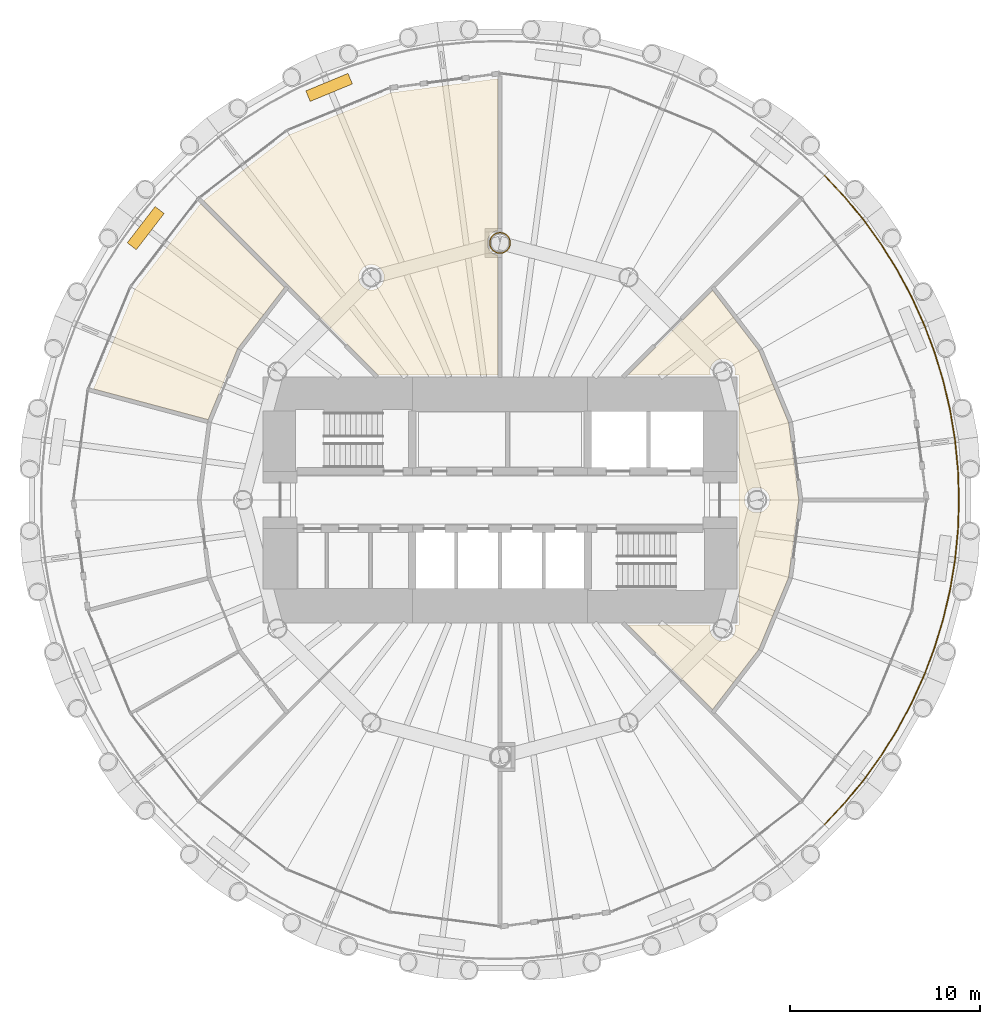
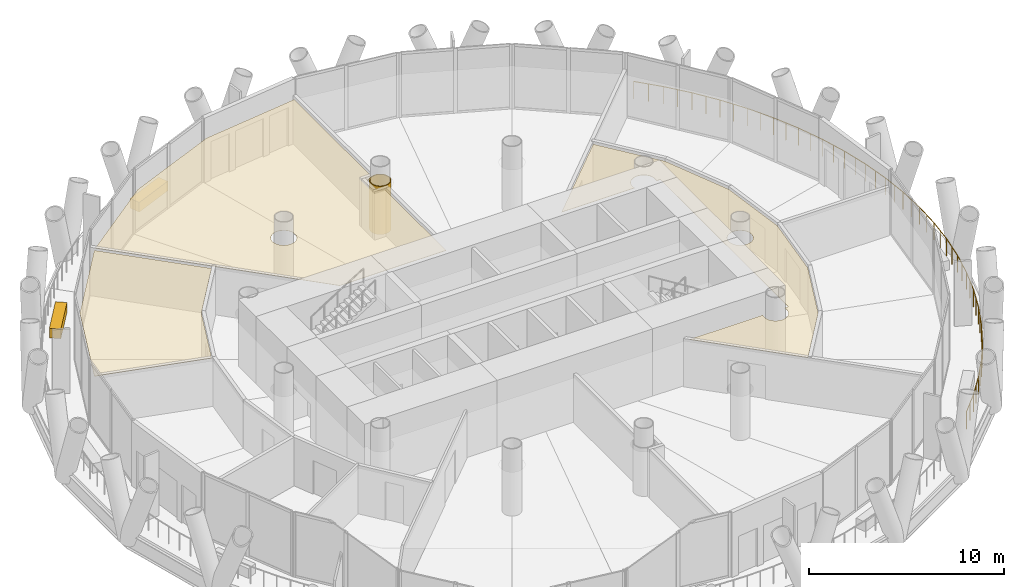
# One storey, part 13 of 14: 6 coverings, 1 railing.
"""IFC4 building model written with IfcOpenShell, lengths in metres."""

from ifc_helpers import new_model, si_unit, direction, frame, origin, origin_2d, place, context, subcontext, project, spatial, polyline, rectangle, circle, outline, extrude, material, layer, layer_set, type_object, element, save


model = new_model("IFC4")

# Units and contexts
model_context = context("Model", 3, precision=1e-05, world=origin(), true_north=direction((0.0, 1.0)))
body_context = subcontext(model_context, "Body", "Model", "MODEL_VIEW")
ifc_project = project(units=[si_unit("LENGTHUNIT", "METRE"), si_unit("AREAUNIT", "SQUARE_METRE"), si_unit("VOLUMEUNIT", "CUBIC_METRE"), si_unit("PLANEANGLEUNIT", "RADIAN"), si_unit("MASSUNIT", "GRAM", prefix="KILO")], contexts=[model_context])

# Site, building, storey
site_placement = place(None, origin())
site = spatial("IfcSite", under=ifc_project, at=site_placement, CompositionType="ELEMENT")
building_placement = place(site_placement, origin())
building = spatial("IfcBuilding", under=site, at=building_placement, Name="Qaws Media Tower", CompositionType="ELEMENT")
storey_placement = place(building_placement, frame((0.0, 0.0, 152.0)))
storey = spatial("IfcBuildingStorey", under=building, at=storey_placement, Name="L34", CompositionType="ELEMENT", Elevation=152.0)

# Railing
ifc_material_1 = material(Name="Stainless steel and glass guard", Category="steel")
railing_type = type_object("IfcRailingType", Name="Balcony guard 1100", PredefinedType="GUARDRAIL", material=ifc_material_1)
railing_placement = place(storey_placement, frame((77.041259765625, 32.958740234375, 0.0)))
element("IfcRailing", 1, at=railing_placement, inside=storey, type_object=railing_type, Name="GR1 balcony guard L34-4", PredefinedType="GUARDRAIL", context=body_context, shape_type="SweptSolid", body=[
    extrude(circle(Radius=0.02392578125, at=origin_2d()), frame((0.0, 0.0, 1.076171875), z_axis=(0.683585753721, 0.729870205796, 0.0), x_axis=(-0.729870205796, 0.683585753721, 0.0)), (0.0, 0.0, 1.0), 1.5771484375),
    extrude(circle(Radius=0.02392578125, at=origin_2d()), frame((1.078125, 1.151123046875, 1.076171875), z_axis=(0.634425735191, 0.772983820353, 0.0), x_axis=(-0.772983820353, 0.634425735191, 0.0)), (0.0, 0.0, 1.0), 1.576904296875),
    extrude(circle(Radius=0.02392578125, at=origin_2d()), frame((2.07861328125, 2.3701171875, 1.076171875), z_axis=(0.582394495813, 0.81290629918, 0.0), x_axis=(-0.81290629918, 0.582394495813, 0.0)), (0.0, 0.0, 1.0), 1.5771484375),
    extrude(circle(Radius=0.02392578125, at=origin_2d()), frame((2.9970703125, 3.652099609375, 1.076171875), z_axis=(0.528091052943, 0.849187752974, 0.0), x_axis=(-0.849187752974, 0.528091052943, 0.0)), (0.0, 0.0, 1.0), 1.576904296875),
    extrude(circle(Radius=0.02392578125, at=origin_2d()), frame((3.829833984375, 4.9912109375, 1.076171875), z_axis=(0.471503893557, 0.881863979512, 0.0), x_axis=(-0.881863979512, 0.471503893557, 0.0)), (0.0, 0.0, 1.0), 1.5771484375),
    extrude(circle(Radius=0.02392578125, at=origin_2d()), frame((4.573486328125, 6.382080078125, 1.076171875), z_axis=(0.412577846991, 0.910922345852, 0.0), x_axis=(-0.910922345852, 0.412577846991, 0.0)), (0.0, 0.0, 1.0), 1.576904296875),
    extrude(circle(Radius=0.02392578125, at=origin_2d()), frame((5.22412109375, 7.818603515625, 1.076171875), z_axis=(0.352310618274, 0.935883127453, 0.0), x_axis=(-0.935883127453, 0.352310618274, 0.0)), (0.0, 0.0, 1.0), 1.5771484375),
    extrude(circle(Radius=0.02392578125, at=origin_2d()), frame((5.77978515625, 9.294677734375, 1.076171875), z_axis=(0.290286683156, 0.956939727246, 0.0), x_axis=(-0.956939727246, 0.290286683156, 0.0)), (0.0, 0.0, 1.0), 1.576904296875),
    extrude(circle(Radius=0.02392578125, at=origin_2d()), frame((6.237548828125, 10.8037109375, 1.076171875), z_axis=(0.227097483643, 0.973872031082, 0.0), x_axis=(-0.973872031082, 0.227097483643, 0.0)), (0.0, 0.0, 1.0), 1.5771484375),
    extrude(circle(Radius=0.02392578125, at=origin_2d()), frame((6.595703125, 12.339599609375, 1.076171875), z_axis=(0.162867357333, 0.986647973654, 0.0), x_axis=(-0.986647973654, 0.162867357333, 0.0)), (0.0, 0.0, 1.0), 1.576904296875),
    extrude(circle(Radius=0.02392578125, at=origin_2d()), frame((6.8525390625, 13.8955078125, 1.076171875), z_axis=(0.097986289481, 0.995187764733, 0.0), x_axis=(-0.995187764733, 0.097986289481, 0.0)), (0.0, 0.0, 1.0), 1.5771484375),
    extrude(circle(Radius=0.02392578125, at=origin_2d()), frame((7.007080078125, 15.465087890625, 1.076171875), z_axis=(0.032819980053, 0.999461279345, 0.0), x_axis=(-0.999461279345, 0.032819980053, 0.0)), (0.0, 0.0, 1.0), 1.576904296875),
    extrude(circle(Radius=0.02392578125, at=origin_2d()), frame((7.058837890625, 17.041259765625, 1.076171875), z_axis=(-0.032819980053, 0.999461279345, 0.0), x_axis=(-0.999461279345, -0.032819980053, 0.0)), (0.0, 0.0, 1.0), 1.576904296875),
    extrude(circle(Radius=0.02392578125, at=origin_2d()), frame((7.007080078125, 18.617431640625, 1.076171875), z_axis=(-0.097986289481, 0.995187764733, 0.0), x_axis=(-0.995187764733, -0.097986289481, 0.0)), (0.0, 0.0, 1.0), 1.5771484375),
    extrude(circle(Radius=0.02392578125, at=origin_2d()), frame((6.8525390625, 20.18701171875, 1.076171875), z_axis=(-0.162867357333, 0.986647973654, 0.0), x_axis=(-0.986647973654, -0.162867357333, 0.0)), (0.0, 0.0, 1.0), 1.576904296875),
    extrude(circle(Radius=0.02392578125, at=origin_2d()), frame((6.595703125, 21.742919921875, 1.076171875), z_axis=(-0.227097483643, 0.973872031082, 0.0), x_axis=(-0.973872031082, -0.227097483643, 0.0)), (0.0, 0.0, 1.0), 1.5771484375),
    extrude(circle(Radius=0.02392578125, at=origin_2d()), frame((6.237548828125, 23.27880859375, 1.076171875), z_axis=(-0.290286683156, 0.956939727246, 0.0), x_axis=(-0.956939727246, -0.290286683156, 0.0)), (0.0, 0.0, 1.0), 1.576904296875),
    extrude(circle(Radius=0.02392578125, at=origin_2d()), frame((5.77978515625, 24.787841796875, 1.076171875), z_axis=(-0.352310618274, 0.935883127453, 0.0), x_axis=(-0.935883127453, -0.352310618274, 0.0)), (0.0, 0.0, 1.0), 1.5771484375),
    extrude(circle(Radius=0.02392578125, at=origin_2d()), frame((5.22412109375, 26.263916015625, 1.076171875), z_axis=(-0.412577846991, 0.910922345852, 0.0), x_axis=(-0.910922345852, -0.412577846991, 0.0)), (0.0, 0.0, 1.0), 1.576904296875),
    extrude(circle(Radius=0.02392578125, at=origin_2d()), frame((4.573486328125, 27.700439453125, 1.076171875), z_axis=(-0.471503893557, 0.881863979512, 0.0), x_axis=(-0.881863979512, -0.471503893557, 0.0)), (0.0, 0.0, 1.0), 1.5771484375),
    extrude(circle(Radius=0.02392578125, at=origin_2d()), frame((3.829833984375, 29.09130859375, 1.076171875), z_axis=(-0.528091052943, 0.849187752974, 0.0), x_axis=(-0.849187752974, -0.528091052943, 0.0)), (0.0, 0.0, 1.0), 1.576904296875),
    extrude(circle(Radius=0.02392578125, at=origin_2d()), frame((2.9970703125, 30.430419921875, 1.076171875), z_axis=(-0.582394495813, 0.81290629918, 0.0), x_axis=(-0.81290629918, -0.582394495813, 0.0)), (0.0, 0.0, 1.0), 1.5771484375),
    extrude(circle(Radius=0.02392578125, at=origin_2d()), frame((2.07861328125, 31.71240234375, 1.076171875), z_axis=(-0.634425735191, 0.772983820353, 0.0), x_axis=(-0.772983820353, -0.634425735191, 0.0)), (0.0, 0.0, 1.0), 1.576904296875),
    extrude(circle(Radius=0.02392578125, at=origin_2d()), frame((1.078125, 32.931396484375, 1.076171875), z_axis=(-0.683585753721, 0.729870205796, 0.0), x_axis=(-0.729870205796, -0.683585753721, 0.0)), (0.0, 0.0, 1.0), 1.5771484375),
    extrude(circle(Radius=0.02099609375, at=origin_2d()), origin(), (0.0, 0.0, 1.0), 1.052001953125),
    extrude(circle(Radius=0.02099609375, at=origin_2d()), frame((0.5390625, 0.57568359375, 0.0)), (0.0, 0.0, 1.0), 1.052001953125),
    extrude(circle(Radius=0.02099609375, at=origin_2d()), frame((1.078125, 1.151123046875, 0.0)), (0.0, 0.0, 1.0), 1.052001953125),
    extrude(circle(Radius=0.02099609375, at=origin_2d()), frame((1.578369140625, 1.7607421875, 0.0)), (0.0, 0.0, 1.0), 1.052001953125),
    extrude(circle(Radius=0.02099609375, at=origin_2d()), frame((2.07861328125, 2.3701171875, 0.0)), (0.0, 0.0, 1.0), 1.052001953125),
    extrude(circle(Radius=0.02099609375, at=origin_2d()), frame((2.537841796875, 3.01123046875, 0.0)), (0.0, 0.0, 1.0), 1.052001953125),
    extrude(circle(Radius=0.02099609375, at=origin_2d()), frame((2.9970703125, 3.652099609375, 0.0)), (0.0, 0.0, 1.0), 1.052001953125),
    extrude(circle(Radius=0.02099609375, at=origin_2d()), frame((3.41357421875, 4.32177734375, 0.0)), (0.0, 0.0, 1.0), 1.052001953125),
    extrude(circle(Radius=0.02099609375, at=origin_2d()), frame((3.829833984375, 4.9912109375, 0.0)), (0.0, 0.0, 1.0), 1.052001953125),
    extrude(circle(Radius=0.02099609375, at=origin_2d()), frame((4.20166015625, 5.6865234375, 0.0)), (0.0, 0.0, 1.0), 1.052001953125),
    extrude(circle(Radius=0.02099609375, at=origin_2d()), frame((4.573486328125, 6.382080078125, 0.0)), (0.0, 0.0, 1.0), 1.052001953125),
    extrude(circle(Radius=0.02099609375, at=origin_2d()), frame((4.89892578125, 7.100341796875, 0.0)), (0.0, 0.0, 1.0), 1.052001953125),
    extrude(circle(Radius=0.02099609375, at=origin_2d()), frame((5.22412109375, 7.818603515625, 0.0)), (0.0, 0.0, 1.0), 1.052001953125),
    extrude(circle(Radius=0.02099609375, at=origin_2d()), frame((5.501953125, 8.556640625, 0.0)), (0.0, 0.0, 1.0), 1.052001953125),
    extrude(circle(Radius=0.02099609375, at=origin_2d()), frame((5.77978515625, 9.294677734375, 0.0)), (0.0, 0.0, 1.0), 1.052001953125),
    extrude(circle(Radius=0.02099609375, at=origin_2d()), frame((6.0087890625, 10.04931640625, 0.0)), (0.0, 0.0, 1.0), 1.052001953125),
    extrude(circle(Radius=0.02099609375, at=origin_2d()), frame((6.237548828125, 10.8037109375, 0.0)), (0.0, 0.0, 1.0), 1.052001953125),
    extrude(circle(Radius=0.02099609375, at=origin_2d()), frame((6.41650390625, 11.57177734375, 0.0)), (0.0, 0.0, 1.0), 1.052001953125),
    extrude(circle(Radius=0.02099609375, at=origin_2d()), frame((6.595703125, 12.339599609375, 0.0)), (0.0, 0.0, 1.0), 1.052001953125),
    extrude(circle(Radius=0.02099609375, at=origin_2d()), frame((6.72412109375, 13.11767578125, 0.0)), (0.0, 0.0, 1.0), 1.052001953125),
    extrude(circle(Radius=0.02099609375, at=origin_2d()), frame((6.8525390625, 13.8955078125, 0.0)), (0.0, 0.0, 1.0), 1.052001953125),
    extrude(circle(Radius=0.02099609375, at=origin_2d()), frame((6.9296875, 14.68017578125, 0.0)), (0.0, 0.0, 1.0), 1.052001953125),
    extrude(circle(Radius=0.02099609375, at=origin_2d()), frame((7.007080078125, 15.465087890625, 0.0)), (0.0, 0.0, 1.0), 1.052001953125),
    extrude(circle(Radius=0.02099609375, at=origin_2d()), frame((7.032958984375, 16.253173828125, 0.0)), (0.0, 0.0, 1.0), 1.052001953125),
    extrude(circle(Radius=0.02099609375, at=origin_2d()), frame((7.058837890625, 17.041259765625, 0.0)), (0.0, 0.0, 1.0), 1.052001953125),
    extrude(circle(Radius=0.02099609375, at=origin_2d()), frame((7.032958984375, 17.829345703125, 0.0)), (0.0, 0.0, 1.0), 1.052001953125),
    extrude(circle(Radius=0.02099609375, at=origin_2d()), frame((7.007080078125, 18.617431640625, 0.0)), (0.0, 0.0, 1.0), 1.052001953125),
    extrude(circle(Radius=0.02099609375, at=origin_2d()), frame((6.9296875, 19.40234375, 0.0)), (0.0, 0.0, 1.0), 1.052001953125),
    extrude(circle(Radius=0.02099609375, at=origin_2d()), frame((6.8525390625, 20.18701171875, 0.0)), (0.0, 0.0, 1.0), 1.052001953125),
    extrude(circle(Radius=0.02099609375, at=origin_2d()), frame((6.72412109375, 20.96484375, 0.0)), (0.0, 0.0, 1.0), 1.052001953125),
    extrude(circle(Radius=0.02099609375, at=origin_2d()), frame((6.595703125, 21.742919921875, 0.0)), (0.0, 0.0, 1.0), 1.052001953125),
    extrude(circle(Radius=0.02099609375, at=origin_2d()), frame((6.41650390625, 22.5107421875, 0.0)), (0.0, 0.0, 1.0), 1.052001953125),
    extrude(circle(Radius=0.02099609375, at=origin_2d()), frame((6.237548828125, 23.27880859375, 0.0)), (0.0, 0.0, 1.0), 1.052001953125),
    extrude(circle(Radius=0.02099609375, at=origin_2d()), frame((6.0087890625, 24.033203125, 0.0)), (0.0, 0.0, 1.0), 1.052001953125),
    extrude(circle(Radius=0.02099609375, at=origin_2d()), frame((5.77978515625, 24.787841796875, 0.0)), (0.0, 0.0, 1.0), 1.052001953125),
    extrude(circle(Radius=0.02099609375, at=origin_2d()), frame((5.501953125, 25.52587890625, 0.0)), (0.0, 0.0, 1.0), 1.052001953125),
    extrude(circle(Radius=0.02099609375, at=origin_2d()), frame((5.22412109375, 26.263916015625, 0.0)), (0.0, 0.0, 1.0), 1.052001953125),
    extrude(circle(Radius=0.02099609375, at=origin_2d()), frame((4.89892578125, 26.982177734375, 0.0)), (0.0, 0.0, 1.0), 1.052001953125),
    extrude(circle(Radius=0.02099609375, at=origin_2d()), frame((4.573486328125, 27.700439453125, 0.0)), (0.0, 0.0, 1.0), 1.052001953125),
    extrude(circle(Radius=0.02099609375, at=origin_2d()), frame((4.20166015625, 28.39599609375, 0.0)), (0.0, 0.0, 1.0), 1.052001953125),
    extrude(circle(Radius=0.02099609375, at=origin_2d()), frame((3.829833984375, 29.09130859375, 0.0)), (0.0, 0.0, 1.0), 1.052001953125),
    extrude(circle(Radius=0.02099609375, at=origin_2d()), frame((3.41357421875, 29.7607421875, 0.0)), (0.0, 0.0, 1.0), 1.052001953125),
    extrude(circle(Radius=0.02099609375, at=origin_2d()), frame((2.9970703125, 30.430419921875, 0.0)), (0.0, 0.0, 1.0), 1.052001953125),
    extrude(circle(Radius=0.02099609375, at=origin_2d()), frame((2.537841796875, 31.0712890625, 0.0)), (0.0, 0.0, 1.0), 1.052001953125),
    extrude(circle(Radius=0.02099609375, at=origin_2d()), frame((2.07861328125, 31.71240234375, 0.0)), (0.0, 0.0, 1.0), 1.052001953125),
    extrude(circle(Radius=0.02099609375, at=origin_2d()), frame((1.578369140625, 32.32177734375, 0.0)), (0.0, 0.0, 1.0), 1.052001953125),
    extrude(circle(Radius=0.02099609375, at=origin_2d()), frame((1.078125, 32.931396484375, 0.0)), (0.0, 0.0, 1.0), 1.052001953125),
    extrude(circle(Radius=0.02099609375, at=origin_2d()), frame((0.5390625, 33.5068359375, 0.0)), (0.0, 0.0, 1.0), 1.052001953125),
    extrude(circle(Radius=0.02099609375, at=origin_2d()), frame((0.0, 34.08251953125, 0.0)), (0.0, 0.0, 1.0), 1.052001953125),
])

# Coverings
ifc_material_2 = material(Name="Two layers 15 fire-rated gypsum board on steel framing", Category="steel")
ifc_layer_1 = layer(ifc_material_2, 0.050048828125)
ifc_layer_set_1 = layer_set([ifc_layer_1], Name="Column fire casing")
covering_type_1 = type_object("IfcCoveringType", Name="Column fire casing", PredefinedType="CLADDING", material=ifc_layer_set_1)
covering_1_placement = place(storey_placement, origin())
element("IfcCovering", 2, at=covering_1_placement, inside=storey, type_object=covering_type_1, Name="CC1 column casing L34", PredefinedType="CLADDING", context=body_context, shape_type="SweptSolid", body=[
    extrude(outline(polyline([(60.56298828125, 63.5), (60.55810546875, 63.426513671875), (60.543701171875, 63.354248046875), (60.52001953125, 63.284423828125), (60.487548828125, 63.218505859375), (60.44677734375, 63.1572265625), (60.398193359375, 63.101806640625), (60.3427734375, 63.05322265625), (60.281494140625, 63.012451171875), (60.215576171875, 62.97998046875), (60.145751953125, 62.956298828125), (60.073486328125, 62.94189453125), (60.0, 62.93701171875), (59.926513671875, 62.94189453125), (59.854248046875, 62.956298828125), (59.784423828125, 62.97998046875), (59.718505859375, 63.012451171875), (59.6572265625, 63.05322265625), (59.601806640625, 63.101806640625), (59.55322265625, 63.1572265625), (59.512451171875, 63.218505859375), (59.47998046875, 63.284423828125), (59.456298828125, 63.354248046875), (59.44189453125, 63.426513671875), (59.43701171875, 63.5), (59.44189453125, 63.573486328125), (59.456298828125, 63.645751953125), (59.47998046875, 63.715576171875), (59.512451171875, 63.781494140625), (59.55322265625, 63.8427734375), (59.601806640625, 63.898193359375), (59.6572265625, 63.94677734375), (59.718505859375, 63.987548828125), (59.784423828125, 64.02001953125), (59.854248046875, 64.043701171875), (59.926513671875, 64.05810546875), (60.0, 64.06298828125), (60.073486328125, 64.05810546875), (60.145751953125, 64.043701171875), (60.215576171875, 64.02001953125), (60.281494140625, 63.987548828125), (60.3427734375, 63.94677734375), (60.398193359375, 63.898193359375), (60.44677734375, 63.8427734375), (60.487548828125, 63.781494140625), (60.52001953125, 63.715576171875), (60.543701171875, 63.645751953125), (60.55810546875, 63.573486328125), (60.56298828125, 63.5)]), holes=[polyline([(60.510986328125, 63.5), (60.506591796875, 63.433349609375), (60.49365234375, 63.36767578125), (60.47216796875, 63.304443359375), (60.4423828125, 63.244384765625), (60.405517578125, 63.18896484375), (60.361328125, 63.138671875), (60.31103515625, 63.094482421875), (60.255615234375, 63.0576171875), (60.195556640625, 63.02783203125), (60.13232421875, 63.00634765625), (60.066650390625, 62.993408203125), (60.0, 62.989013671875), (59.933349609375, 62.993408203125), (59.86767578125, 63.00634765625), (59.804443359375, 63.02783203125), (59.744384765625, 63.0576171875), (59.68896484375, 63.094482421875), (59.638671875, 63.138671875), (59.594482421875, 63.18896484375), (59.5576171875, 63.244384765625), (59.52783203125, 63.304443359375), (59.50634765625, 63.36767578125), (59.493408203125, 63.433349609375), (59.489013671875, 63.5), (59.493408203125, 63.566650390625), (59.50634765625, 63.63232421875), (59.52783203125, 63.695556640625), (59.5576171875, 63.755615234375), (59.594482421875, 63.81103515625), (59.638671875, 63.861328125), (59.68896484375, 63.905517578125), (59.744384765625, 63.9423828125), (59.804443359375, 63.97216796875), (59.86767578125, 63.99365234375), (59.933349609375, 64.006591796875), (60.0, 64.010986328125), (60.066650390625, 64.006591796875), (60.13232421875, 63.99365234375), (60.195556640625, 63.97216796875), (60.255615234375, 63.9423828125), (60.31103515625, 63.905517578125), (60.361328125, 63.861328125), (60.405517578125, 63.81103515625), (60.4423828125, 63.755615234375), (60.47216796875, 63.695556640625), (60.49365234375, 63.63232421875), (60.506591796875, 63.566650390625), (60.510986328125, 63.5)])]), origin(), (0.0, 0.0, 1.0), 3.02001953125),
])
ifc_material_3 = material(Name="600 x 600 mineral fibre tiles in exposed grid, suspended", Category="mineral fibre")
ifc_layer_2 = layer(ifc_material_3, 0.02001953125)
ifc_layer_set_2 = layer_set([ifc_layer_2], Name="Mineral fibre tile ceiling 20")
covering_type_2 = type_object("IfcCoveringType", Name="Mineral fibre tile ceiling 20", PredefinedType="CEILING", material=ifc_layer_set_2)
covering_2_placement = place(storey_placement, frame((0.0, 0.0, 2.85009765625)))
element("IfcCovering", 3, at=covering_2_placement, inside=storey, type_object=covering_type_2, Name="CL1 ceiling L34-01 Corridor", PredefinedType="CEILING", context=body_context, shape_type="SweptSolid", body=[
    extrude(outline(polyline([(73.5849609375, 57.84326171875), (75.152099609375, 54.06005859375), (75.6865234375, 50.0), (75.152099609375, 45.93994140625), (73.5849609375, 42.15673828125), (71.1611328125, 38.998046875), (66.7216796875, 43.4375), (71.051025390625, 43.4375), (71.046142578125, 43.4228515625), (71.029052734375, 43.337158203125), (71.023193359375, 43.25), (71.029052734375, 43.162841796875), (71.046142578125, 43.0771484375), (71.07421875, 42.994384765625), (71.11279296875, 42.916015625), (71.161376953125, 42.84326171875), (71.218994140625, 42.777587890625), (71.28466796875, 42.719970703125), (71.357421875, 42.67138671875), (71.435791015625, 42.6328125), (71.5185546875, 42.604736328125), (71.604248046875, 42.587646484375), (71.69140625, 42.58203125), (71.778564453125, 42.587646484375), (71.8642578125, 42.604736328125), (71.947021484375, 42.6328125), (72.025390625, 42.67138671875), (72.097900390625, 42.719970703125), (72.163818359375, 42.777587890625), (72.22119140625, 42.84326171875), (72.269775390625, 42.916015625), (72.30859375, 42.994384765625), (72.336669921875, 43.0771484375), (72.353515625, 43.162841796875), (72.359375, 43.25), (72.353515625, 43.337158203125), (72.336669921875, 43.4228515625), (72.33154296875, 43.4375), (72.5625, 43.4375), (72.5625, 56.5625), (72.33154296875, 56.5625), (72.336669921875, 56.5771484375), (72.353515625, 56.662841796875), (72.359375, 56.75), (72.353515625, 56.837158203125), (72.336669921875, 56.9228515625), (72.30859375, 57.005615234375), (72.269775390625, 57.083984375), (72.22119140625, 57.15673828125), (72.163818359375, 57.222412109375), (72.097900390625, 57.280029296875), (72.025390625, 57.32861328125), (71.947021484375, 57.3671875), (71.8642578125, 57.395263671875), (71.778564453125, 57.412353515625), (71.69140625, 57.41796875), (71.604248046875, 57.412353515625), (71.5185546875, 57.395263671875), (71.435791015625, 57.3671875), (71.357421875, 57.32861328125), (71.28466796875, 57.280029296875), (71.218994140625, 57.222412109375), (71.161376953125, 57.15673828125), (71.11279296875, 57.083984375), (71.07421875, 57.005615234375), (71.046142578125, 56.9228515625), (71.029052734375, 56.837158203125), (71.023193359375, 56.75), (71.029052734375, 56.662841796875), (71.046142578125, 56.5771484375), (71.051025390625, 56.5625), (66.7216796875, 56.5625), (71.1611328125, 61.001953125), (73.5849609375, 57.84326171875)]), holes=[polyline([(74.145263671875, 49.8271484375), (74.162353515625, 49.912841796875), (74.16796875, 50.0), (74.162353515625, 50.087158203125), (74.145263671875, 50.1728515625), (74.1171875, 50.255615234375), (74.07861328125, 50.333984375), (74.030029296875, 50.40673828125), (73.972412109375, 50.472412109375), (73.90673828125, 50.530029296875), (73.833984375, 50.57861328125), (73.755615234375, 50.6171875), (73.6728515625, 50.645263671875), (73.587158203125, 50.662353515625), (73.5, 50.66796875), (73.412841796875, 50.662353515625), (73.3271484375, 50.645263671875), (73.244384765625, 50.6171875), (73.166015625, 50.57861328125), (73.09326171875, 50.530029296875), (73.027587890625, 50.472412109375), (72.969970703125, 50.40673828125), (72.92138671875, 50.333984375), (72.8828125, 50.255615234375), (72.854736328125, 50.1728515625), (72.837646484375, 50.087158203125), (72.83203125, 50.0), (72.837646484375, 49.912841796875), (72.854736328125, 49.8271484375), (72.8828125, 49.744384765625), (72.92138671875, 49.666015625), (72.969970703125, 49.59326171875), (73.027587890625, 49.527587890625), (73.09326171875, 49.469970703125), (73.166015625, 49.42138671875), (73.244384765625, 49.3828125), (73.3271484375, 49.354736328125), (73.412841796875, 49.337646484375), (73.5, 49.33203125), (73.587158203125, 49.337646484375), (73.6728515625, 49.354736328125), (73.755615234375, 49.3828125), (73.833984375, 49.42138671875), (73.90673828125, 49.469970703125), (73.972412109375, 49.527587890625), (74.030029296875, 49.59326171875), (74.07861328125, 49.666015625), (74.1171875, 49.744384765625), (74.145263671875, 49.8271484375)])]), origin(), (0.0, 0.0, 1.0), 0.02001953125),
])
covering_3_placement = place(storey_placement, frame((0.0, 0.0, 2.85009765625)))
element("IfcCovering", 4, at=covering_3_placement, inside=storey, type_object=covering_type_2, Name="CL1 ceiling L34-04 Network operations room", PredefinedType="CEILING", context=body_context, shape_type="SweptSolid", body=[
    extrude(outline(polyline([(48.932373046875, 69.169677734375), (54.27099609375, 71.381103515625), (59.887451171875, 72.120361328125), (59.887451171875, 64.1572265625), (59.8271484375, 64.145263671875), (59.744384765625, 64.1171875), (59.666015625, 64.07861328125), (59.59326171875, 64.030029296875), (59.527587890625, 63.972412109375), (59.469970703125, 63.90673828125), (59.42138671875, 63.833984375), (59.3828125, 63.755615234375), (59.354736328125, 63.6728515625), (59.337646484375, 63.587158203125), (59.33203125, 63.5), (59.337646484375, 63.412841796875), (59.354736328125, 63.3271484375), (59.3828125, 63.244384765625), (59.42138671875, 63.166015625), (59.469970703125, 63.09326171875), (59.527587890625, 63.027587890625), (59.59326171875, 62.969970703125), (59.666015625, 62.92138671875), (59.744384765625, 62.8828125), (59.8271484375, 62.854736328125), (59.887451171875, 62.8427734375), (59.887451171875, 56.5625), (53.5966796875, 56.5625), (44.43798828125, 65.72119140625), (48.932373046875, 69.169677734375)]), holes=[polyline([(53.8671875, 61.435791015625), (53.895263671875, 61.5185546875), (53.912353515625, 61.604248046875), (53.91796875, 61.69140625), (53.912353515625, 61.778564453125), (53.895263671875, 61.8642578125), (53.8671875, 61.947021484375), (53.82861328125, 62.025390625), (53.780029296875, 62.097900390625), (53.722412109375, 62.163818359375), (53.65673828125, 62.22119140625), (53.583984375, 62.269775390625), (53.505615234375, 62.30859375), (53.4228515625, 62.336669921875), (53.337158203125, 62.353515625), (53.25, 62.359375), (53.162841796875, 62.353515625), (53.0771484375, 62.336669921875), (52.994384765625, 62.30859375), (52.916015625, 62.269775390625), (52.84326171875, 62.22119140625), (52.777587890625, 62.163818359375), (52.719970703125, 62.097900390625), (52.67138671875, 62.025390625), (52.6328125, 61.947021484375), (52.604736328125, 61.8642578125), (52.587646484375, 61.778564453125), (52.58203125, 61.69140625), (52.587646484375, 61.604248046875), (52.604736328125, 61.5185546875), (52.6328125, 61.435791015625), (52.67138671875, 61.357421875), (52.719970703125, 61.28466796875), (52.777587890625, 61.218994140625), (52.84326171875, 61.161376953125), (52.916015625, 61.11279296875), (52.994384765625, 61.07421875), (53.0771484375, 61.046142578125), (53.162841796875, 61.029052734375), (53.25, 61.023193359375), (53.337158203125, 61.029052734375), (53.4228515625, 61.046142578125), (53.505615234375, 61.07421875), (53.583984375, 61.11279296875), (53.65673828125, 61.161376953125), (53.722412109375, 61.218994140625), (53.780029296875, 61.28466796875), (53.82861328125, 61.357421875), (53.8671875, 61.435791015625)])]), origin(), (0.0, 0.0, 1.0), 0.02001953125),
])
ifc_material_4 = material(Name="Precast concrete planter with trailing planting", Category="concrete")
ifc_layer_3 = layer(ifc_material_4, 0.60009765625)
ifc_layer_set_3 = layer_set([ifc_layer_3], Name="Planter 2400x600")
covering_type_3 = type_object("IfcCoveringType", Name="Planter 2400x600", PredefinedType="USERDEFINED", material=ifc_layer_set_3)
for number, where, z_axis, x_axis, name in (
    (5, (51.026123046875, 71.6650390625, 0.0), (0.0, 0.0, 1.0), (-0.923879532511, -0.382683432365, 0.0), "PL1 balcony planter L34-04"),
    (6, (41.395751953125, 64.275390625, 0.0), (0.0, 0.0, 1.0), (-0.608761429009, -0.793353340291, 0.0), "PL1 balcony planter L34-05"),
):
    element("IfcCovering", number, at=place(storey_placement, frame(where, z_axis=z_axis, x_axis=x_axis)), inside=storey, type_object=covering_type_3, Name=name, ObjectType="PLANTER", PredefinedType="USERDEFINED", context=body_context, shape_type="SweptSolid", body=[
        extrude(rectangle(XDim=2.39990234375, YDim=0.60009765625, at=origin_2d()), origin(), (0.0, 0.0, 1.0), 0.60009765625),
    ])
ifc_material_5 = material(Name="Two layers 12.5 moisture-resistant plasterboard on suspended metal furring", Category="gypsum")
ifc_layer_4 = layer(ifc_material_5, 0.02490234375)
ifc_layer_set_4 = layer_set([ifc_layer_4], Name="Plasterboard ceiling 25")
covering_type_4 = type_object("IfcCoveringType", Name="Plasterboard ceiling 25", PredefinedType="CEILING", material=ifc_layer_set_4)
covering_4_placement = place(storey_placement, frame((0.0, 0.0, 2.85009765625)))
element("IfcCovering", 7, at=covering_4_placement, inside=storey, type_object=covering_type_4, Name="CL2 ceiling L34-05 Help desk", PredefinedType="CEILING", context=body_context, shape_type="SweptSolid", body=[
    extrude(outline(polyline([(40.830322265625, 61.067626953125), (44.27880859375, 65.56201171875), (48.678466796875, 61.16259765625), (46.218505859375, 57.956787109375), (44.672119140625, 54.223388671875), (38.662353515625, 55.833984375), (40.830322265625, 61.067626953125)])), origin(), (0.0, 0.0, 1.0), 0.02490234375),
])

save(model, "model.ifc")
